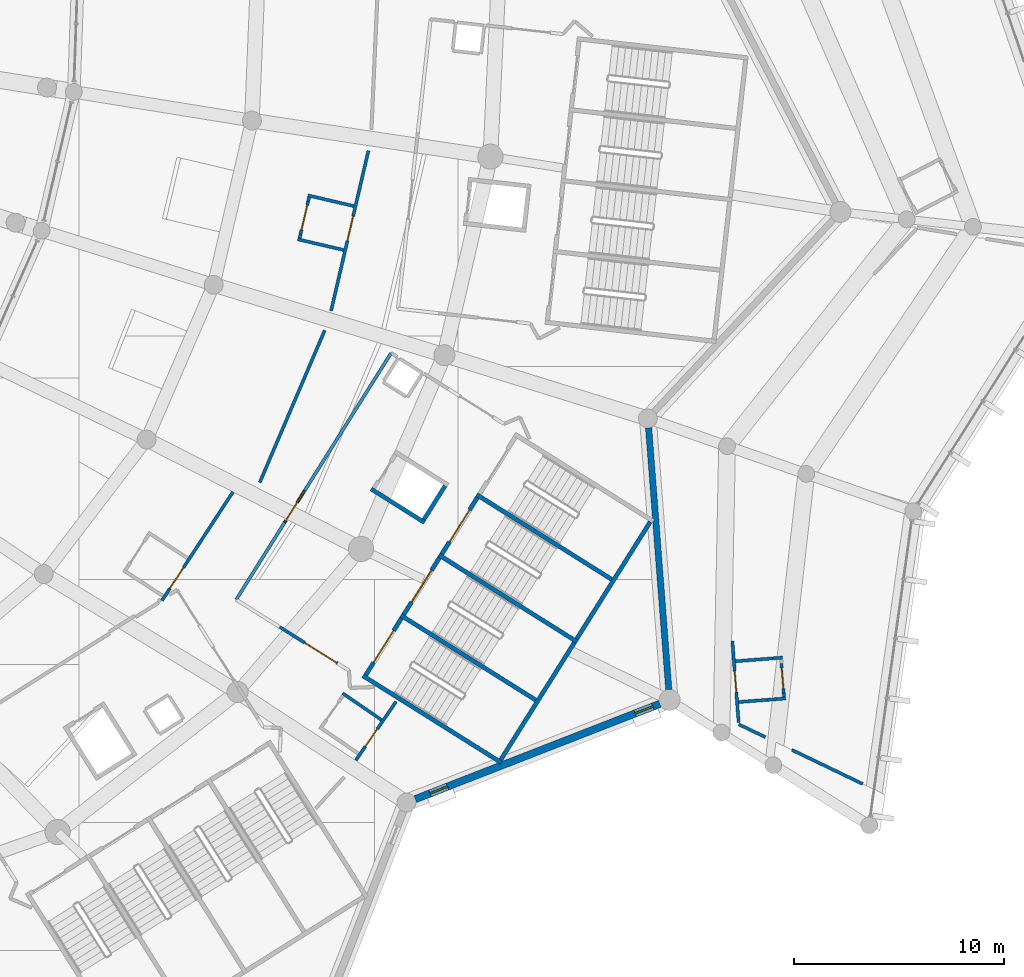
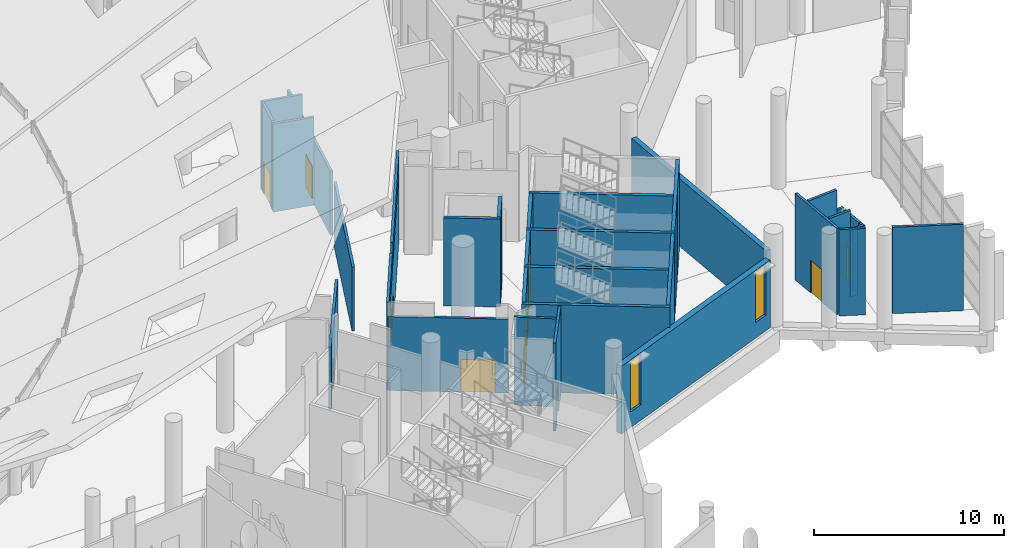
# One storey, part 152 of 249: 37 walls, 11 doors, 2 windows, 13 openings.
"""IFC4 building model written with IfcOpenShell, lengths in metres."""

from ifc_helpers import new_model, si_unit, direction, frame, frame_2d, origin, place, context, subcontext, project, spatial, rectangle, extrude, material, layer, layer_set, type_object, element, fill, save


model = new_model("IFC4")

# Units and contexts
model_context = context("Model", 3, precision=1e-05, world=origin(), true_north=direction((0.0, 1.0)))
body_context = subcontext(model_context, "Body", "Model", "MODEL_VIEW")
ifc_project = project(units=[si_unit("LENGTHUNIT", "METRE"), si_unit("AREAUNIT", "SQUARE_METRE"), si_unit("VOLUMEUNIT", "CUBIC_METRE"), si_unit("PLANEANGLEUNIT", "RADIAN"), si_unit("MASSUNIT", "GRAM", prefix="KILO")], contexts=[model_context])

# Site, building, storey
site_placement = place(None, origin())
site = spatial("IfcSite", under=ifc_project, at=site_placement, CompositionType="ELEMENT")
building_placement = place(site_placement, origin())
building = spatial("IfcBuilding", under=site, at=building_placement, Name="Meseta Stadium", CompositionType="ELEMENT")
storey_placement = place(building_placement, frame((0.0, 0.0, 12.0)))
storey = spatial("IfcBuildingStorey", under=building, at=storey_placement, Name="L02", CompositionType="ELEMENT", Elevation=12.0)

# Walls
ifc_material_1 = material(Name="Concrete C40/50", Category="concrete")
ifc_layer_1 = layer(ifc_material_1, 0.199951171875)
ifc_layer_set_1 = layer_set([ifc_layer_1], Name="Core divider wall 200")
wall_type_1 = type_object("IfcWallType", Name="Core divider wall 200", PredefinedType="SHEAR", material=ifc_layer_set_1)
wall_1_placement = place(storey_placement, frame((86.696533203125, -79.5869140625, 0.0), z_axis=(0.0, 0.0, 1.0), x_axis=(-0.846713903605, 0.532048461553, 0.0)))
element("IfcWall", 1, at=wall_1_placement, inside=storey, type_object=wall_type_1, Name="Core 28 L02 stair A divider wall", PredefinedType="SHEAR", context=body_context, shape_type="SweptSolid", body=[
    extrude(rectangle(XDim=7.7998046875, YDim=0.199951171875, at=frame_2d((3.89990234375, 0.0))), origin(), (0.0, 0.0, 1.0), 5.64990234375),
])
wall_2_placement = place(storey_placement, frame((90.314453125, -73.8291015625, 0.0), z_axis=(0.0, 0.0, 1.0), x_axis=(-0.846722763703, 0.532034361135, 0.0)))
element("IfcWall", 2, at=wall_2_placement, inside=storey, type_object=wall_type_1, Name="Core 28 L02 stair B divider wall", PredefinedType="SHEAR", context=body_context, shape_type="SweptSolid", body=[
    extrude(rectangle(XDim=7.800048828125, YDim=0.199951171875, at=frame_2d((3.89990234375, 0.0))), origin(), (0.0, 0.0, 1.0), 5.64990234375),
])
ifc_material_2 = material(Name="Concrete C40/50", Category="concrete")
ifc_layer_2 = layer(ifc_material_2, 0.199951171875)
ifc_layer_set_2 = layer_set([ifc_layer_2], Name="Core shaft wall 200")
wall_type_2 = type_object("IfcWallType", Name="Core shaft wall 200", PredefinedType="SHEAR", material=ifc_layer_set_2)
for number, where, z_axis, x_axis, name in (
    (3, (84.8876953125, -82.4658203125, 0.0), (0.0, 0.0, 1.0), (-0.846722763703, 0.532034361135, 0.0), "Core 28 L02 stair wall A-side"),
    (4, (88.505615234375, -76.7080078125, 0.0), (0.0, 0.0, 1.0), (-0.846722763703, 0.532034361135, 0.0), "Core 28 L02 stair wall shared"),
):
    element("IfcWall", number, at=place(storey_placement, frame(where, z_axis=z_axis, x_axis=x_axis)), inside=storey, type_object=wall_type_2, Name=name, PredefinedType="SHEAR", context=body_context, shape_type="SweptSolid", body=[
        extrude(rectangle(XDim=7.800048828125, YDim=0.199951171875, at=frame_2d((3.89990234375, 0.0))), origin(), (0.0, 0.0, 1.0), 5.64990234375),
    ])
for number, where, z_axis, x_axis, name in (
    (5, (84.856201171875, -82.327880859375, 0.0), (0.0, 0.0, 1.0), (0.532038964807, 0.846719870989, 0.0), "Core 28 L02 stair A outer end wall"),
    (6, (88.47412109375, -76.570068359375, 0.0), (0.0, 0.0, 1.0), (0.532038964807, 0.846719870989, 0.0), "Core 28 L02 stair B outer end wall"),
):
    element("IfcWall", number, at=place(storey_placement, frame(where, z_axis=z_axis, x_axis=x_axis)), inside=storey, type_object=wall_type_2, Name=name, PredefinedType="SHEAR", context=body_context, shape_type="SweptSolid", body=[
        extrude(rectangle(XDim=6.60009765625, YDim=0.199951171875, at=frame_2d((3.300048828125, 0.0))), origin(), (0.0, 0.0, 1.0), 5.64990234375),
    ])

# Wall, opening, door
wall_3_placement = place(storey_placement, frame((78.421142578125, -78.284423828125, 0.0), z_axis=(0.0, 0.0, 1.0), x_axis=(0.53206841829, 0.84670136309, 0.0)))
wall_3 = element("IfcWall", 7, at=wall_3_placement, inside=storey, type_object=wall_type_2, Name="Core 28 L02 stair A1 inner end wall", PredefinedType="SHEAR", context=body_context, shape_type="SweptSolid", body=[
    extrude(rectangle(XDim=3.199951171875, YDim=0.199951171875, at=frame_2d((1.60009765625, 0.0))), origin(), (0.0, 0.0, 1.0), 5.64990234375),
])
opening_1_placement = place(wall_3_placement, frame((0.699951171875, 0.0, 0.0)))
opening_1 = element("IfcOpeningElement", 8, at=opening_1_placement, cuts=wall_3, Name="Opening D1207", PredefinedType="OPENING", context=body_context, shape_type="SweptSolid", body=[
    extrude(rectangle(XDim=1.800048828125, YDim=2.10009765625, at=frame_2d((0.89990234375, 1.050048828125))), frame((0.0, 0.10986328125, 0.0), z_axis=(0.0, -1.0, 0.0), x_axis=(1.0, 0.0, 0.0)), (0.0, 0.0, 1.0), 0.219970703125),
])
ifc_material_3 = material(Name="Steel", Category="steel")
door_type_1 = type_object("IfcDoorType", Name="Stair door 1800x2100", OperationType="DOUBLE_DOOR_SINGLE_SWING", PredefinedType="DOOR", material=ifc_material_3)
door_1_placement = place(opening_1_placement, origin())
door_1 = element("IfcDoor", 9, at=door_1_placement, inside=storey, type_object=door_type_1, Name="Stair A1 door 28 L02", OperationType="DOUBLE_DOOR_SINGLE_SWING", OverallHeight=2.10009765625, OverallWidth=1.800048828125, PredefinedType="DOOR", context=body_context, shape_type="SweptSolid", body=[
    extrude(rectangle(XDim=1.800048828125, YDim=2.10009765625, at=frame_2d((0.89990234375, 1.050048828125))), frame((0.0, 0.02490234375, 0.0), z_axis=(0.0, -1.0, 0.0), x_axis=(1.0, 0.0, 0.0)), (0.0, 0.0, 1.0), 0.050048828125),
])
fill(opening_1, door_1)

wall_4_placement = place(storey_placement, frame((80.22998046875, -75.405517578125, 0.0), z_axis=(0.0, 0.0, 1.0), x_axis=(0.53206841829, 0.84670136309, 0.0)))
wall_4 = element("IfcWall", 10, at=wall_4_placement, inside=storey, type_object=wall_type_2, Name="Core 28 L02 stair A2 inner end wall", PredefinedType="SHEAR", context=body_context, shape_type="SweptSolid", body=[
    extrude(rectangle(XDim=3.199951171875, YDim=0.199951171875, at=frame_2d((1.60009765625, 0.0))), origin(), (0.0, 0.0, 1.0), 5.64990234375),
])
opening_2_placement = place(wall_4_placement, frame((0.699951171875, 0.0, 0.0)))
opening_2 = element("IfcOpeningElement", 11, at=opening_2_placement, cuts=wall_4, Name="Opening D1209", PredefinedType="OPENING", context=body_context, shape_type="SweptSolid", body=[
    extrude(rectangle(XDim=1.800048828125, YDim=2.10009765625, at=frame_2d((0.89990234375, 1.050048828125))), frame((0.0, 0.10986328125, 0.0), z_axis=(0.0, -1.0, 0.0), x_axis=(1.0, 0.0, 0.0)), (0.0, 0.0, 1.0), 0.219970703125),
])
door_2_placement = place(opening_2_placement, origin())
door_2 = element("IfcDoor", 12, at=door_2_placement, inside=storey, type_object=door_type_1, Name="Stair A2 door 28 L02", OperationType="DOUBLE_DOOR_SINGLE_SWING", OverallHeight=2.10009765625, OverallWidth=1.800048828125, PredefinedType="DOOR", context=body_context, shape_type="SweptSolid", body=[
    extrude(rectangle(XDim=1.800048828125, YDim=2.10009765625, at=frame_2d((0.89990234375, 1.050048828125))), frame((0.0, 0.02490234375, 0.0), z_axis=(0.0, -1.0, 0.0), x_axis=(1.0, 0.0, 0.0)), (0.0, 0.0, 1.0), 0.050048828125),
])
fill(opening_2, door_2)

wall_5_placement = place(storey_placement, frame((82.0390625, -72.526611328125, 0.0), z_axis=(0.0, 0.0, 1.0), x_axis=(0.532013720158, 0.846735733015, 0.0)))
wall_5 = element("IfcWall", 13, at=wall_5_placement, inside=storey, type_object=wall_type_2, Name="Core 28 L02 stair B1 inner end wall", PredefinedType="SHEAR", context=body_context, shape_type="SweptSolid", body=[
    extrude(rectangle(XDim=3.199951171875, YDim=0.199951171875, at=frame_2d((1.60009765625, 0.0))), origin(), (0.0, 0.0, 1.0), 5.64990234375),
])
opening_3_placement = place(wall_5_placement, frame((0.699951171875, 0.0, 0.0)))
opening_3 = element("IfcOpeningElement", 14, at=opening_3_placement, cuts=wall_5, Name="Opening D1215", PredefinedType="OPENING", context=body_context, shape_type="SweptSolid", body=[
    extrude(rectangle(XDim=1.800048828125, YDim=2.10009765625, at=frame_2d((0.89990234375, 1.050048828125))), frame((0.0, 0.10986328125, 0.0), z_axis=(0.0, -1.0, 0.0), x_axis=(1.0, 0.0, 0.0)), (0.0, 0.0, 1.0), 0.219970703125),
])
door_3_placement = place(opening_3_placement, origin())
door_3 = element("IfcDoor", 15, at=door_3_placement, inside=storey, type_object=door_type_1, Name="Stair B1 door 28 L02", OperationType="DOUBLE_DOOR_SINGLE_SWING", OverallHeight=2.10009765625, OverallWidth=1.800048828125, PredefinedType="DOOR", context=body_context, shape_type="SweptSolid", body=[
    extrude(rectangle(XDim=1.800048828125, YDim=2.10009765625, at=frame_2d((0.89990234375, 1.050048828125))), frame((0.0, 0.02490234375, 0.0), z_axis=(0.0, -1.0, 0.0), x_axis=(1.0, 0.0, 0.0)), (0.0, 0.0, 1.0), 0.050048828125),
])
fill(opening_3, door_3)

# Walls
wall_6_placement = place(storey_placement, frame((81.22119140625, -71.0087890625, 0.0), z_axis=(0.0, 0.0, 1.0), x_axis=(-0.846757002027, 0.531979867588, 0.0)))
element("IfcWall", 16, at=wall_6_placement, inside=storey, type_object=wall_type_2, Name="Core 28 L02 lift shaft wall left", PredefinedType="SHEAR", context=body_context, shape_type="SweptSolid", body=[
    extrude(rectangle(XDim=3.0, YDim=0.199951171875, at=frame_2d((1.5, 0.0))), origin(), (0.0, 0.0, 1.0), 5.64990234375),
])
wall_7_placement = place(storey_placement, frame((81.189697265625, -70.87109375, 0.0), z_axis=(0.0, 0.0, 1.0), x_axis=(0.531961007765, 0.846768850524, 0.0)))
element("IfcWall", 17, at=wall_7_placement, inside=storey, type_object=wall_type_2, Name="Core 28 L02 lift shaft back wall", PredefinedType="SHEAR", context=body_context, shape_type="SweptSolid", body=[
    extrude(rectangle(XDim=1.900146484375, YDim=0.199951171875, at=frame_2d((0.9501953125, 0.0))), origin(), (0.0, 0.0, 1.0), 5.64990234375),
])

# Wall, opening, door
ifc_material_4 = material(Name="Masonry blockwork", Category="masonry")
ifc_layer_3 = layer(ifc_material_4, 0.14990234375)
ifc_layer_set_3 = layer_set([ifc_layer_3], Name="Partition 150")
wall_type_3 = type_object("IfcWallType", Name="Partition 150", PredefinedType="PARTITIONING", material=ifc_layer_set_3)
wall_8_placement = place(storey_placement, frame((72.085205078125, -69.559326171875, 0.0), z_axis=(0.0, 0.0, 1.0), x_axis=(-0.547328054804, -0.836918156348, 0.0)))
wall_8 = element("IfcWall", 18, at=wall_8_placement, inside=storey, type_object=wall_type_3, Name="Partition L02 L02-cell26-0-0", PredefinedType="PARTITIONING", context=body_context, shape_type="SweptSolid", body=[
    extrude(rectangle(XDim=6.185546875, YDim=0.14990234375, at=frame_2d((3.0927734375, 0.0))), origin(), (0.0, 0.0, 1.0), 4.0263671875),
])
opening_4_placement = place(wall_8_placement, frame((4.300048828125, 0.0, 0.0)))
opening_4 = element("IfcOpeningElement", 19, at=opening_4_placement, cuts=wall_8, Name="Opening D1178", PredefinedType="OPENING", context=body_context, shape_type="SweptSolid", body=[
    extrude(rectangle(XDim=1.199951171875, YDim=2.10009765625, at=frame_2d((0.60009765625, 1.050048828125))), frame((0.0, 0.0849609375, 0.0), z_axis=(0.0, -1.0, 0.0), x_axis=(1.0, 0.0, 0.0)), (0.0, 0.0, 1.0), 0.169921875),
])
ifc_material_5 = material(Name="Steel", Category="steel")
door_type_2 = type_object("IfcDoorType", Name="Fire door 1200x2100 EI2 60", OperationType="NOTDEFINED", PredefinedType="DOOR", material=ifc_material_5)
door_4_placement = place(opening_4_placement, origin())
door_4 = element("IfcDoor", 20, at=door_4_placement, inside=storey, type_object=door_type_2, Name="Room door L02 L02-cell26-0-0", OperationType="SINGLE_SWING_RIGHT", OverallHeight=2.10009765625, OverallWidth=1.199951171875, PredefinedType="DOOR", context=body_context, shape_type="SweptSolid", body=[
    extrude(rectangle(XDim=1.199951171875, YDim=2.10009765625, at=frame_2d((0.60009765625, 1.050048828125))), frame((0.0, 0.02490234375, 0.0), z_axis=(0.0, -1.0, 0.0), x_axis=(1.0, 0.0, 0.0)), (0.0, 0.0, 1.0), 0.050048828125),
])
fill(opening_4, door_4)

wall_9_placement = place(storey_placement, frame((77.948974609375, -82.345703125, 0.0), z_axis=(0.0, 0.0, 1.0), x_axis=(0.565957595718, 0.824434351449, 0.0)))
wall_9 = element("IfcWall", 21, at=wall_9_placement, inside=storey, type_object=wall_type_3, Name="Partition L02 L02-cell26-2-0", PredefinedType="PARTITIONING", context=body_context, shape_type="SweptSolid", body=[
    extrude(rectangle(XDim=3.392822265625, YDim=0.14990234375, at=frame_2d((1.6962890625, 0.0))), origin(), (0.0, 0.0, 1.0), 5.64990234375),
])
opening_5_placement = place(wall_9_placement, frame((0.800048828125, 0.0, 0.0)))
opening_5 = element("IfcOpeningElement", 22, at=opening_5_placement, cuts=wall_9, Name="Opening D1201", PredefinedType="OPENING", context=body_context, shape_type="SweptSolid", body=[
    extrude(rectangle(XDim=1.0, YDim=2.10009765625, at=frame_2d((0.5, 1.050048828125))), frame((0.0, 0.0849609375, 0.0), z_axis=(0.0, -1.0, 0.0), x_axis=(1.0, 0.0, 0.0)), (0.0, 0.0, 1.0), 0.169921875),
])
ifc_material_6 = material(Name="Steel", Category="steel")
door_type_3 = type_object("IfcDoorType", Name="Fire door 1000x2100 EI2 120", OperationType="NOTDEFINED", PredefinedType="DOOR", material=ifc_material_6)
door_5_placement = place(opening_5_placement, origin())
door_5 = element("IfcDoor", 23, at=door_5_placement, inside=storey, type_object=door_type_3, Name="Room door L02 L02-cell26-2-0", OperationType="SINGLE_SWING_LEFT", OverallHeight=2.10009765625, OverallWidth=1.0, PredefinedType="DOOR", context=body_context, shape_type="SweptSolid", body=[
    extrude(rectangle(XDim=1.0, YDim=2.10009765625, at=frame_2d((0.5, 1.050048828125))), frame((0.0, 0.02490234375, 0.0), z_axis=(0.0, -1.0, 0.0), x_axis=(1.0, 0.0, 0.0)), (0.0, 0.0, 1.0), 0.050048828125),
])
fill(opening_5, door_5)

wall_10_placement = place(storey_placement, frame((78.54638671875, -53.287353515625, 0.0), z_axis=(0.0, 0.0, 1.0), x_axis=(-0.226958808722, -0.973904358314, 0.0)))
wall_10 = element("IfcWall", 24, at=wall_10_placement, inside=storey, type_object=wall_type_3, Name="Partition L02 L02-cell27-0-0", PredefinedType="PARTITIONING", context=body_context, shape_type="SweptSolid", body=[
    extrude(rectangle(XDim=7.837646484375, YDim=0.14990234375, at=frame_2d((3.9189453125, 0.0))), origin(), (0.0, 0.0, 1.0), 4.109619140625),
])
opening_6_placement = place(wall_10_placement, frame((3.199951171875, 0.0, 0.0)))
opening_6 = element("IfcOpeningElement", 25, at=opening_6_placement, cuts=wall_10, Name="Opening D1198", PredefinedType="OPENING", context=body_context, shape_type="SweptSolid", body=[
    extrude(rectangle(XDim=1.199951171875, YDim=2.10009765625, at=frame_2d((0.60009765625, 1.050048828125))), frame((0.0, 0.0849609375, 0.0), z_axis=(0.0, -1.0, 0.0), x_axis=(1.0, 0.0, 0.0)), (0.0, 0.0, 1.0), 0.169921875),
])
door_6_placement = place(opening_6_placement, origin())
door_6 = element("IfcDoor", 26, at=door_6_placement, inside=storey, type_object=door_type_2, Name="Room door L02 L02-cell27-0-0", OperationType="SINGLE_SWING_LEFT", OverallHeight=2.10009765625, OverallWidth=1.199951171875, PredefinedType="DOOR", context=body_context, shape_type="SweptSolid", body=[
    extrude(rectangle(XDim=1.199951171875, YDim=2.10009765625, at=frame_2d((0.60009765625, 1.050048828125))), frame((0.0, 0.02490234375, 0.0), z_axis=(0.0, -1.0, 0.0), x_axis=(1.0, 0.0, 0.0)), (0.0, 0.0, 1.0), 0.050048828125),
])
fill(opening_6, door_6)

# Walls
wall_11_placement = place(storey_placement, frame((76.462890625, -61.850830078125, 0.0), z_axis=(0.0, 0.0, 1.0), x_axis=(-0.39271238508, -0.919661341258, 0.0)))
element("IfcWall", 27, at=wall_11_placement, inside=storey, type_object=wall_type_3, Name="Partition L02 L02-cell27-0-0", PredefinedType="PARTITIONING", context=body_context, shape_type="SweptSolid", body=[
    extrude(rectangle(XDim=7.887939453125, YDim=0.14990234375, at=frame_2d((3.94384765625, 0.0))), origin(), (0.0, 0.0, 1.0), 4.109619140625),
])
wall_12_placement = place(storey_placement, frame((102.117919921875, -83.479248046875, 0.0), z_axis=(0.0, 0.0, 1.0), x_axis=(-0.901188323719, 0.433427739298, 0.0)))
element("IfcWall", 28, at=wall_12_placement, inside=storey, type_object=wall_type_3, Name="Partition L02 L02-ring27-0", PredefinedType="PARTITIONING", context=body_context, shape_type="SweptSolid", body=[
    extrude(rectangle(XDim=3.74755859375, YDim=0.14990234375, at=frame_2d((1.873779296875, 0.0))), origin(), (0.0, 0.0, 1.0), 5.550048828125),
])
wall_13_placement = place(storey_placement, frame((97.47412109375, -81.245849609375, 0.0), z_axis=(0.0, 0.0, 1.0), x_axis=(-0.901167600811, 0.433470823988, 0.0)))
element("IfcWall", 29, at=wall_13_placement, inside=storey, type_object=wall_type_3, Name="Partition L02 L02-ring27-0", PredefinedType="PARTITIONING", context=body_context, shape_type="SweptSolid", body=[
    extrude(rectangle(XDim=1.4052734375, YDim=0.14990234375, at=frame_2d((0.70263671875, 0.0))), origin(), (0.0, 0.0, 1.0), 5.550048828125),
])

# Wall, opening, door
wall_14_placement = place(storey_placement, frame((96.201171875, -80.55029296875, 0.0), z_axis=(0.0, 0.0, 1.0), x_axis=(-0.076969034149, 0.997033483782, 0.0)))
wall_14 = element("IfcWall", 30, at=wall_14_placement, inside=storey, type_object=wall_type_3, Name="Partition L02 L02-ring27-0", PredefinedType="PARTITIONING", context=body_context, shape_type="SweptSolid", body=[
    extrude(rectangle(XDim=3.904541015625, YDim=0.14990234375, at=frame_2d((1.9521484375, 0.0))), origin(), (0.0, 0.0, 1.0), 5.550048828125),
])
opening_7_placement = place(wall_14_placement, frame((1.449951171875, 0.0, 0.0)))
opening_7 = element("IfcOpeningElement", 31, at=opening_7_placement, cuts=wall_14, Name="Opening D1260", PredefinedType="OPENING", context=body_context, shape_type="SweptSolid", body=[
    extrude(rectangle(XDim=1.0, YDim=2.10009765625, at=frame_2d((0.5, 1.050048828125))), frame((0.0, 0.0849609375, 0.0), z_axis=(0.0, -1.0, 0.0), x_axis=(1.0, 0.0, 0.0)), (0.0, 0.0, 1.0), 0.169921875),
])
ifc_material_7 = material(Name="Steel", Category="steel")
door_type_4 = type_object("IfcDoorType", Name="Fire door 1000x2100 EI2 60", OperationType="NOTDEFINED", PredefinedType="DOOR", material=ifc_material_7)
door_7_placement = place(opening_7_placement, origin())
door_7 = element("IfcDoor", 32, at=door_7_placement, inside=storey, type_object=door_type_4, Name="Room door L02 L02-ring27-0", OperationType="SINGLE_SWING_LEFT", OverallHeight=2.10009765625, OverallWidth=1.0, PredefinedType="DOOR", context=body_context, shape_type="SweptSolid", body=[
    extrude(rectangle(XDim=1.0, YDim=2.10009765625, at=frame_2d((0.5, 1.050048828125))), frame((0.0, 0.02490234375, 0.0), z_axis=(0.0, -1.0, 0.0), x_axis=(1.0, 0.0, 0.0)), (0.0, 0.0, 1.0), 0.050048828125),
])
fill(opening_7, door_7)

wall_15_placement = place(storey_placement, frame((79.630859375, -62.929443359375, 0.0), z_axis=(0.0, 0.0, 1.0), x_axis=(-0.532030790124, -0.84672500752, 0.0)))
wall_15 = element("IfcWall", 33, at=wall_15_placement, inside=storey, type_object=wall_type_3, Name="Stair vestibule wall L02 core 28", PredefinedType="PARTITIONING", context=body_context, shape_type="SweptSolid", body=[
    extrude(rectangle(XDim=13.889892578125, YDim=0.14990234375, at=frame_2d((6.94482421875, 0.0))), origin(), (0.0, 0.0, 1.0), 4.550048828125),
])
opening_8_placement = place(wall_15_placement, frame((7.75, 0.0, 0.0)))
opening_8 = element("IfcOpeningElement", 34, at=opening_8_placement, cuts=wall_15, Name="Opening D1187", PredefinedType="OPENING", context=body_context, shape_type="SweptSolid", body=[
    extrude(rectangle(XDim=1.800048828125, YDim=2.10009765625, at=frame_2d((0.89990234375, 1.050048828125))), frame((0.0, 0.0849609375, 0.0), z_axis=(0.0, -1.0, 0.0), x_axis=(1.0, 0.0, 0.0)), (0.0, 0.0, 1.0), 0.169921875),
])
ifc_material_8 = material(Name="Steel", Category="steel")
door_type_5 = type_object("IfcDoorType", Name="Fire double door 1800x2100 EI2 60", OperationType="DOUBLE_DOOR_SINGLE_SWING", PredefinedType="DOOR", material=ifc_material_8)
door_8_placement = place(opening_8_placement, origin())
door_8 = element("IfcDoor", 35, at=door_8_placement, inside=storey, type_object=door_type_5, Name="Stair vestibule door L02 core 28", OperationType="DOUBLE_DOOR_SINGLE_SWING", OverallHeight=2.10009765625, OverallWidth=1.800048828125, PredefinedType="DOOR", context=body_context, shape_type="SweptSolid", body=[
    extrude(rectangle(XDim=1.800048828125, YDim=2.10009765625, at=frame_2d((0.89990234375, 1.050048828125))), frame((0.0, 0.02490234375, 0.0), z_axis=(0.0, -1.0, 0.0), x_axis=(1.0, 0.0, 0.0)), (0.0, 0.0, 1.0), 0.050048828125),
])
fill(opening_8, door_8)

# Walls
wall_16_placement = place(storey_placement, frame((79.630859375, -62.929443359375, 4.550048828125), z_axis=(0.0, 0.0, 1.0), x_axis=(-0.53201679112, -0.846733803486, 0.0)))
element("IfcWall", 36, at=wall_16_placement, inside=storey, type_object=wall_type_3, Name="Stair vestibule wall L02 core 28", PredefinedType="PARTITIONING", context=body_context, shape_type="SweptSolid", body=[
    extrude(rectangle(XDim=8.43310546875, YDim=0.14990234375, at=frame_2d((4.216552734375, 0.0))), origin(), (0.0, 0.0, 1.0), 1.099853515625),
])
wall_17_placement = place(storey_placement, frame((74.6162109375, -70.91015625, 4.550048828125), z_axis=(0.0, 0.0, 1.0), x_axis=(-0.532022587331, -0.846730161604, 0.0)))
element("IfcWall", 37, at=wall_17_placement, inside=storey, type_object=wall_type_3, Name="Stair vestibule wall L02 core 28", PredefinedType="PARTITIONING", context=body_context, shape_type="SweptSolid", body=[
    extrude(rectangle(XDim=4.464599609375, YDim=0.14990234375, at=frame_2d((2.232421875, 0.0))), origin(), (0.0, 0.0, 1.0), 1.099853515625),
])

# Wall, opening, door
wall_18_placement = place(storey_placement, frame((72.240966796875, -74.6904296875, 0.0), z_axis=(0.0, 0.0, 1.0), x_axis=(0.846702819814, -0.53206610014, 0.0)))
wall_18 = element("IfcWall", 38, at=wall_18_placement, inside=storey, type_object=wall_type_3, Name="Stair vestibule wall L02 core 28", PredefinedType="PARTITIONING", context=body_context, shape_type="SweptSolid", body=[
    extrude(rectangle(XDim=6.354248046875, YDim=0.14990234375, at=frame_2d((3.17724609375, 0.0))), origin(), (0.0, 0.0, 1.0), 4.75),
])
opening_9_placement = place(wall_18_placement, frame((3.85009765625, 0.0, 0.0)))
opening_9 = element("IfcOpeningElement", 39, at=opening_9_placement, cuts=wall_18, Name="Opening D1191", PredefinedType="OPENING", context=body_context, shape_type="SweptSolid", body=[
    extrude(rectangle(XDim=1.800048828125, YDim=2.10009765625, at=frame_2d((0.89990234375, 1.050048828125))), frame((0.0, 0.0849609375, 0.0), z_axis=(0.0, -1.0, 0.0), x_axis=(1.0, 0.0, 0.0)), (0.0, 0.0, 1.0), 0.169921875),
])
door_9_placement = place(opening_9_placement, origin())
door_9 = element("IfcDoor", 40, at=door_9_placement, inside=storey, type_object=door_type_5, Name="Stair vestibule door L02 core 28", OperationType="DOUBLE_DOOR_SINGLE_SWING", OverallHeight=2.10009765625, OverallWidth=1.800048828125, PredefinedType="DOOR", context=body_context, shape_type="SweptSolid", body=[
    extrude(rectangle(XDim=1.800048828125, YDim=2.10009765625, at=frame_2d((0.89990234375, 1.050048828125))), frame((0.0, 0.02490234375, 0.0), z_axis=(0.0, -1.0, 0.0), x_axis=(1.0, 0.0, 0.0)), (0.0, 0.0, 1.0), 0.050048828125),
])
fill(opening_9, door_9)

# Walls
for number, where, z_axis, x_axis, name in (
    (41, (79.1748046875, -80.427734375, 0.0), (0.0, 0.0, 1.0), (-0.824427979221, 0.565966878075, 0.0), "Partition L02 L02-cell26-2-0 vestibule"),
    (42, (77.85498046875, -55.92431640625, 0.0), (0.0, 0.0, 1.0), (-0.973893210411, 0.227006640243, 0.0), "Partition L02 L02-cell27-0-0 vestibule"),
    (43, (77.366943359375, -58.01806640625, 0.0), (0.0, 0.0, 1.0), (-0.973893210411, 0.227006640243, 0.0), "Partition L02 L02-cell27-0-0 vestibule"),
):
    element("IfcWall", number, at=place(storey_placement, frame(where, z_axis=z_axis, x_axis=x_axis)), inside=storey, type_object=wall_type_3, Name=name, PredefinedType="PARTITIONING", context=body_context, shape_type="SweptSolid", body=[
        extrude(rectangle(XDim=2.25, YDim=0.14990234375, at=frame_2d((1.125, 0.0))), origin(), (0.0, 0.0, 1.0), 5.64990234375),
    ])
wall_19_placement = place(storey_placement, frame((75.7197265625, -55.50341796875, 0.0), z_axis=(0.0, 0.0, 1.0), x_axis=(-0.226998128041, -0.973895194498, 0.0)))
element("IfcWall", 44, at=wall_19_placement, inside=storey, type_object=wall_type_3, Name="Partition L02 L02-cell27-0-0 vestibule", PredefinedType="PARTITIONING", context=body_context, shape_type="SweptSolid", body=[
    extrude(rectangle(XDim=0.199951171875, YDim=0.14990234375, at=frame_2d((0.10009765625, 0.0))), origin(), (0.0, 0.0, 1.0), 5.64990234375),
])

# Wall, opening, door
wall_20_placement = place(storey_placement, frame((75.67431640625, -55.6982421875, 0.0), z_axis=(0.0, 0.0, 1.0), x_axis=(-0.226887139624, -0.973921057311, 0.0)))
wall_20 = element("IfcWall", 45, at=wall_20_placement, inside=storey, type_object=wall_type_3, Name="Partition L02 L02-cell27-0-0 vestibule", PredefinedType="PARTITIONING", context=body_context, shape_type="SweptSolid", body=[
    extrude(rectangle(XDim=1.60009765625, YDim=0.14990234375, at=frame_2d((0.800048828125, 0.0))), origin(), (0.0, 0.0, 1.0), 5.64990234375),
])
opening_10_placement = place(wall_20_placement, frame((0.199951171875, 0.0, 0.0)))
opening_10 = element("IfcOpeningElement", 46, at=opening_10_placement, cuts=wall_20, Name="Opening D1189", PredefinedType="OPENING", context=body_context, shape_type="SweptSolid", body=[
    extrude(rectangle(XDim=1.199951171875, YDim=2.10009765625, at=frame_2d((0.60009765625, 1.050048828125))), frame((0.0, 0.0849609375, 0.0), z_axis=(0.0, -1.0, 0.0), x_axis=(1.0, 0.0, 0.0)), (0.0, 0.0, 1.0), 0.169921875),
])
door_10_placement = place(opening_10_placement, origin())
door_10 = element("IfcDoor", 47, at=door_10_placement, inside=storey, type_object=door_type_2, Name="Vestibule door L02 L02-cell27-0-0", OperationType="SINGLE_SWING_LEFT", OverallHeight=2.10009765625, OverallWidth=1.199951171875, PredefinedType="DOOR", context=body_context, shape_type="SweptSolid", body=[
    extrude(rectangle(XDim=1.199951171875, YDim=2.10009765625, at=frame_2d((0.60009765625, 1.050048828125))), frame((0.0, 0.02490234375, 0.0), z_axis=(0.0, -1.0, 0.0), x_axis=(1.0, 0.0, 0.0)), (0.0, 0.0, 1.0), 0.050048828125),
])
fill(opening_10, door_10)

# Walls
wall_21_placement = place(storey_placement, frame((75.311279296875, -57.256591796875, 0.0), z_axis=(0.0, 0.0, 1.0), x_axis=(-0.226998128041, -0.973895194498, 0.0)))
element("IfcWall", 48, at=wall_21_placement, inside=storey, type_object=wall_type_3, Name="Partition L02 L02-cell27-0-0 vestibule", PredefinedType="PARTITIONING", context=body_context, shape_type="SweptSolid", body=[
    extrude(rectangle(XDim=0.199951171875, YDim=0.14990234375, at=frame_2d((0.10009765625, 0.0))), origin(), (0.0, 0.0, 1.0), 5.64990234375),
])
wall_22_placement = place(storey_placement, frame((96.20068359375, -79.572509765625, 0.0), z_axis=(0.0, 0.0, 1.0), x_axis=(0.997028903068, 0.077028348333, 0.0)))
element("IfcWall", 49, at=wall_22_placement, inside=storey, type_object=wall_type_3, Name="Partition L02 L02-ring27-0 vestibule", PredefinedType="PARTITIONING", context=body_context, shape_type="SweptSolid", body=[
    extrude(rectangle(XDim=1.35009765625, YDim=0.14990234375, at=frame_2d((0.675048828125, 0.0))), origin(), (0.0, 0.0, 1.0), 5.60009765625),
])
wall_23_placement = place(storey_placement, frame((97.546875, -79.468505859375, 0.0), z_axis=(0.0, 0.0, 1.0), x_axis=(0.997070419096, 0.076489080029, 0.0)))
element("IfcWall", 50, at=wall_23_placement, inside=storey, type_object=wall_type_3, Name="Partition L02 L02-ring27-0 vestibule", PredefinedType="PARTITIONING", context=body_context, shape_type="SweptSolid", body=[
    extrude(rectangle(XDim=0.449951171875, YDim=0.14990234375, at=frame_2d((0.22509765625, 0.0))), origin(), (0.0, 0.0, 1.0), 4.300048828125),
])
wall_24_placement = place(storey_placement, frame((97.99560546875, -79.43408203125, 0.0), z_axis=(0.0, 0.0, 1.0), x_axis=(0.997025681882, 0.077070030935, 0.0)))
element("IfcWall", 51, at=wall_24_placement, inside=storey, type_object=wall_type_3, Name="Partition L02 L02-ring27-0 vestibule", PredefinedType="PARTITIONING", context=body_context, shape_type="SweptSolid", body=[
    extrude(rectangle(XDim=0.44970703125, YDim=0.14990234375, at=frame_2d((0.224853515625, 0.0))), origin(), (0.0, 0.0, 1.0), 4.300048828125),
])
wall_25_placement = place(storey_placement, frame((96.05078125, -77.62841796875, 0.0), z_axis=(0.0, 0.0, 1.0), x_axis=(0.997028098262, 0.077038764768, 0.0)))
element("IfcWall", 52, at=wall_25_placement, inside=storey, type_object=wall_type_3, Name="Partition L02 L02-ring27-0 vestibule", PredefinedType="PARTITIONING", context=body_context, shape_type="SweptSolid", body=[
    extrude(rectangle(XDim=1.800048828125, YDim=0.14990234375, at=frame_2d((0.89990234375, 0.0))), origin(), (0.0, 0.0, 1.0), 5.60009765625),
])
wall_26_placement = place(storey_placement, frame((97.845458984375, -77.48974609375, 0.0), z_axis=(0.0, 0.0, 1.0), x_axis=(0.997028903068, 0.077028348333, 0.0)))
element("IfcWall", 53, at=wall_26_placement, inside=storey, type_object=wall_type_3, Name="Partition L02 L02-ring27-0 vestibule", PredefinedType="PARTITIONING", context=body_context, shape_type="SweptSolid", body=[
    extrude(rectangle(XDim=0.449951171875, YDim=0.14990234375, at=frame_2d((0.22509765625, 0.0))), origin(), (0.0, 0.0, 1.0), 4.300048828125),
])
wall_27_placement = place(storey_placement, frame((98.363525390625, -79.330322265625, 0.0), z_axis=(0.0, 0.0, 1.0), x_axis=(-0.076883141957, 0.997040110769, 0.0)))
element("IfcWall", 54, at=wall_27_placement, inside=storey, type_object=wall_type_3, Name="Partition L02 L02-ring27-0 vestibule", PredefinedType="PARTITIONING", context=body_context, shape_type="SweptSolid", body=[
    extrude(rectangle(XDim=0.199951171875, YDim=0.14990234375, at=frame_2d((0.10009765625, 0.0))), origin(), (0.0, 0.0, 1.0), 4.300048828125),
])

# Wall, opening, door
wall_28_placement = place(storey_placement, frame((98.34814453125, -79.130859375, 0.0), z_axis=(0.0, 0.0, 1.0), x_axis=(-0.076909879213, 0.997038048662, 0.0)))
wall_28 = element("IfcWall", 55, at=wall_28_placement, inside=storey, type_object=wall_type_3, Name="Partition L02 L02-ring27-0 vestibule", PredefinedType="PARTITIONING", context=body_context, shape_type="SweptSolid", body=[
    extrude(rectangle(XDim=1.39990234375, YDim=0.14990234375, at=frame_2d((0.699951171875, 0.0))), origin(), (0.0, 0.0, 1.0), 4.300048828125),
])
opening_11_placement = place(wall_28_placement, frame((0.199951171875, 0.0, 0.0)))
opening_11 = element("IfcOpeningElement", 56, at=opening_11_placement, cuts=wall_28, Name="Opening D1264", PredefinedType="OPENING", context=body_context, shape_type="SweptSolid", body=[
    extrude(rectangle(XDim=1.0, YDim=2.10009765625, at=frame_2d((0.5, 1.050048828125))), frame((0.0, 0.0849609375, 0.0), z_axis=(0.0, -1.0, 0.0), x_axis=(1.0, 0.0, 0.0)), (0.0, 0.0, 1.0), 0.169921875),
])
door_11_placement = place(opening_11_placement, origin())
door_11 = element("IfcDoor", 57, at=door_11_placement, inside=storey, type_object=door_type_4, Name="Vestibule door L02 L02-ring27-0", OperationType="SINGLE_SWING_RIGHT", OverallHeight=2.10009765625, OverallWidth=1.0, PredefinedType="DOOR", context=body_context, shape_type="SweptSolid", body=[
    extrude(rectangle(XDim=1.0, YDim=2.10009765625, at=frame_2d((0.5, 1.050048828125))), frame((0.0, 0.02490234375, 0.0), z_axis=(0.0, -1.0, 0.0), x_axis=(1.0, 0.0, 0.0)), (0.0, 0.0, 1.0), 0.050048828125),
])
fill(opening_11, door_11)

# Wall
ifc_material_9 = material(Name="White precast concrete C40/50", Category="concrete")
ifc_layer_4 = layer(ifc_material_9, 0.300048828125)
ifc_layer_set_4 = layer_set([ifc_layer_4], Name="Pleated panel wall 300 concourse")
wall_type_4 = type_object("IfcWallType", Name="Pleated panel wall 300 concourse", PredefinedType="SOLIDWALL", material=ifc_layer_set_4)
wall_29_placement = place(storey_placement, frame((91.9072265625, -66.499755859375, 0.0), z_axis=(0.0, 0.0, 1.0), x_axis=(0.076945644854, -0.997035289114, 0.0)))
element("IfcWall", 58, at=wall_29_placement, inside=storey, type_object=wall_type_4, Name="Pleated facade panel L02 F54", PredefinedType="SOLIDWALL", context=body_context, shape_type="SweptSolid", body=[
    extrude(rectangle(XDim=12.513916015625, YDim=0.300048828125, at=frame_2d((6.2568359375, 0.0))), origin(), (0.0, 0.0, 1.0), 4.35009765625),
])

# Wall, openings, windows
ifc_material_10 = material(Name="White precast concrete C40/50", Category="concrete")
ifc_layer_5 = layer(ifc_material_10, 0.35009765625)
ifc_layer_set_5 = layer_set([ifc_layer_5], Name="Pleated panel wall 350 gate")
wall_type_5 = type_object("IfcWallType", Name="Pleated panel wall 350 gate", PredefinedType="SOLIDWALL", material=ifc_layer_set_5)
wall_30_placement = place(storey_placement, frame((92.443115234375, -79.656005859375, 0.0), z_axis=(0.0, 0.0, 1.0), x_axis=(-0.931674762927, -0.363293457312, 0.0)))
wall_30 = element("IfcWall", 59, at=wall_30_placement, inside=storey, type_object=wall_type_5, Name="Pleated facade panel L02 F53", PredefinedType="SOLIDWALL", context=body_context, shape_type="SweptSolid", body=[
    extrude(rectangle(XDim=12.513671875, YDim=0.35009765625, at=frame_2d((6.2568359375, 0.0))), origin(), (0.0, 0.0, 1.0), 4.35009765625),
])
opening_12_placement = place(wall_30_placement, frame((10.86328125, 0.0, 1.0)))
opening_12 = element("IfcOpeningElement", 60, at=opening_12_placement, cuts=wall_30, Name="Opening W036", PredefinedType="OPENING", context=body_context, shape_type="SweptSolid", body=[
    extrude(rectangle(XDim=0.89990234375, YDim=3.25, at=frame_2d((0.449951171875, 1.625))), frame((0.0, 0.18505859375, 0.0), z_axis=(0.0, -1.0, 0.0), x_axis=(1.0, 0.0, 0.0)), (0.0, 0.0, 1.0), 0.3701171875),
])
opening_13_placement = place(wall_30_placement, frame((0.36328125, 0.0, 1.0)))
opening_13 = element("IfcOpeningElement", 61, at=opening_13_placement, cuts=wall_30, Name="Opening W038", PredefinedType="OPENING", context=body_context, shape_type="SweptSolid", body=[
    extrude(rectangle(XDim=0.89990234375, YDim=3.25, at=frame_2d((0.449951171875, 1.625))), frame((0.0, 0.18505859375, 0.0), z_axis=(0.0, -1.0, 0.0), x_axis=(1.0, 0.0, 0.0)), (0.0, 0.0, 1.0), 0.3701171875),
])
ifc_material_11 = material(Name="Aluminium", Category="aluminium")
window_type = type_object("IfcWindowType", Name="Slot window 900x3250", PartitioningType="SINGLE_PANEL", PredefinedType="WINDOW", material=ifc_material_11)
window_1_placement = place(opening_12_placement, origin())
window_1 = element("IfcWindow", 62, at=window_1_placement, inside=storey, type_object=window_type, Name="Slot window L02 F53.1", OverallHeight=3.25, OverallWidth=0.89990234375, PartitioningType="SINGLE_PANEL", PredefinedType="WINDOW", context=body_context, shape_type="SweptSolid", body=[
    extrude(rectangle(XDim=0.89990234375, YDim=3.25, at=frame_2d((0.449951171875, 1.625))), frame((0.0, 0.030029296875, 0.0), z_axis=(0.0, -1.0, 0.0), x_axis=(1.0, 0.0, 0.0)), (0.0, 0.0, 1.0), 0.06005859375),
])
fill(opening_12, window_1)
window_2_placement = place(opening_13_placement, origin())
window_2 = element("IfcWindow", 63, at=window_2_placement, inside=storey, type_object=window_type, Name="Slot window L02 F53.6", OverallHeight=3.25, OverallWidth=0.89990234375, PartitioningType="SINGLE_PANEL", PredefinedType="WINDOW", context=body_context, shape_type="SweptSolid", body=[
    extrude(rectangle(XDim=0.89990234375, YDim=3.25, at=frame_2d((0.449951171875, 1.625))), frame((0.0, 0.030029296875, 0.0), z_axis=(0.0, -1.0, 0.0), x_axis=(1.0, 0.0, 0.0)), (0.0, 0.0, 1.0), 0.06005859375),
])
fill(opening_13, window_2)

save(model, "model.ifc")
